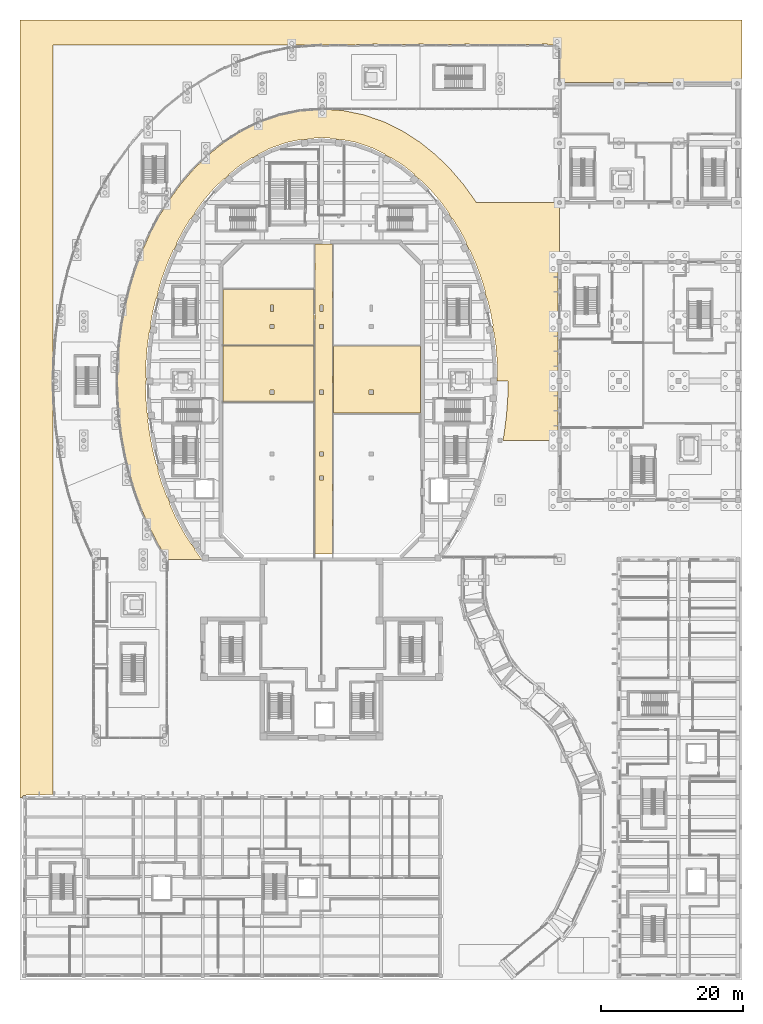
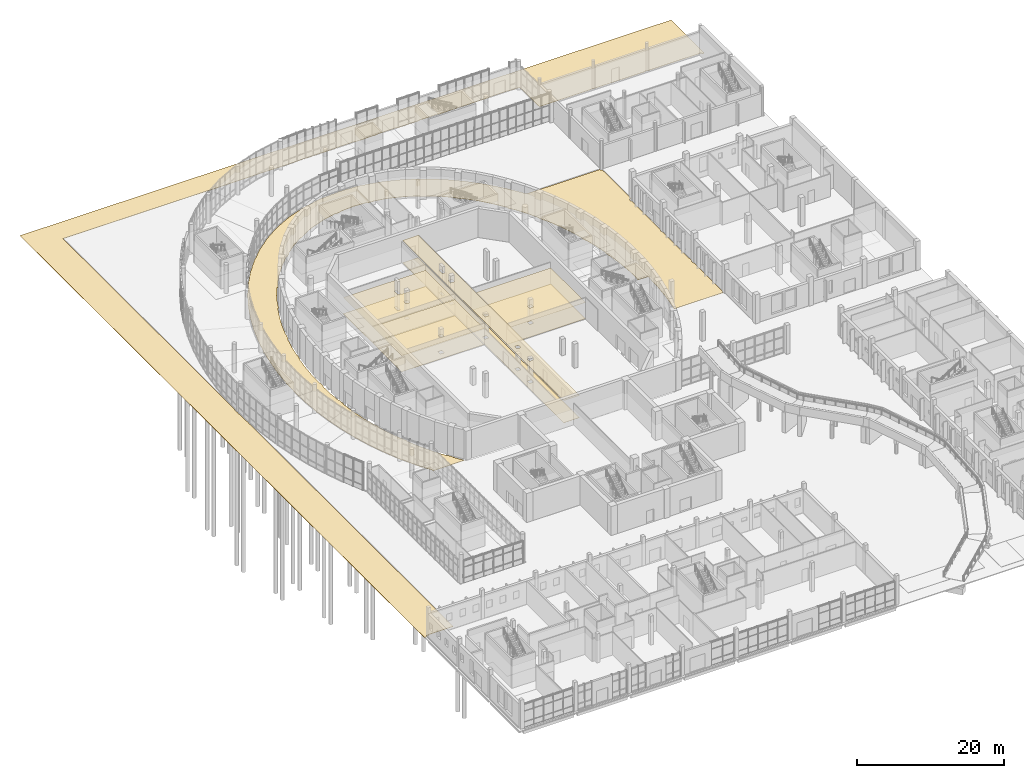
# One storey, part 96 of 110: 10 coverings.
"""IFC4 building model written with IfcOpenShell, lengths in metres."""

from ifc_helpers import new_model, si_unit, direction, frame, origin, place, context, subcontext, project, spatial, polyline, outline, extrude, material, layer, layer_set, type_object, element, save


model = new_model("IFC4")

# Units and contexts
model_context = context("Model", 3, precision=1e-05, world=origin(), true_north=direction((0.0, 1.0)))
body_context = subcontext(model_context, "Body", "Model", "MODEL_VIEW")
ifc_project = project(units=[si_unit("LENGTHUNIT", "METRE"), si_unit("AREAUNIT", "SQUARE_METRE"), si_unit("VOLUMEUNIT", "CUBIC_METRE"), si_unit("PLANEANGLEUNIT", "RADIAN"), si_unit("MASSUNIT", "GRAM", prefix="KILO")], contexts=[model_context])

# Site, building, storey
site_placement = place(None, origin())
site = spatial("IfcSite", under=ifc_project, at=site_placement, CompositionType="ELEMENT")
building_placement = place(site_placement, origin())
building = spatial("IfcBuilding", under=site, at=building_placement, Name="Larchfold Concert Hall", CompositionType="ELEMENT")
storey_placement = place(building_placement, origin())
storey = spatial("IfcBuildingStorey", under=building, at=storey_placement, Name="L00", CompositionType="ELEMENT", Elevation=0.0)

# Coverings
ifc_material_1 = material(Name="Mineral fibre ceiling tile")
ifc_layer_1 = layer(ifc_material_1, 0.02001953125)
ifc_layer_set_1 = layer_set([ifc_layer_1], Name="Mineral fibre ceiling tile")
covering_type_1 = type_object("IfcCoveringType", Name="Ceiling mineral fibre tile 20", PredefinedType="CEILING", material=ifc_layer_set_1)
covering_1_placement = place(storey_placement, frame((0.0, 0.0, 3.68017578125)))
element("IfcCovering", 1, at=covering_1_placement, inside=storey, type_object=covering_type_1, Name="Ceiling Undercroft Spine", PredefinedType="CEILING", context=body_context, shape_type="SweptSolid", body=[
    extrude(outline(polyline([(41.66259765625, 60.199951171875), (44.125, 60.199951171875), (44.125, 103.949951171875), (41.675048828125, 103.949951171875), (41.675048828125, 97.6201171875), (41.66259765625, 97.6201171875), (41.66259765625, 60.199951171875)]), holes=[polyline([(42.300048828125, 70.599853515625), (42.300048828125, 71.199951171875), (42.900146484375, 71.199951171875), (42.900146484375, 70.599853515625), (42.300048828125, 70.599853515625)]), polyline([(42.300048828125, 82.699951171875), (42.300048828125, 83.300048828125), (42.900146484375, 83.300048828125), (42.900146484375, 82.699951171875), (42.300048828125, 82.699951171875)]), polyline([(42.900146484375, 74.0), (42.300048828125, 74.0), (42.300048828125, 74.60009765625), (42.900146484375, 74.60009765625), (42.900146484375, 74.0)]), polyline([(42.900146484375, 92.0), (42.300048828125, 92.0), (42.300048828125, 92.60009765625), (42.900146484375, 92.60009765625), (42.900146484375, 92.0)]), polyline([(42.400146484375, 94.449951171875), (42.400146484375, 95.349853515625), (42.800048828125, 95.349853515625), (42.800048828125, 94.449951171875), (42.400146484375, 94.449951171875)])]), origin(), (0.0, 0.0, 1.0), 0.02001953125),
])
covering_2_placement = place(storey_placement, frame((0.0, 0.0, 2.68017578125)))
element("IfcCovering", 2, at=covering_2_placement, inside=storey, type_object=covering_type_1, Name="Ceiling Hall Store 01", PredefinedType="CEILING", context=body_context, shape_type="SweptSolid", body=[
    extrude(outline(polyline([(56.550048828125, 89.525146484375), (44.27490234375, 89.525146484375), (44.27490234375, 80.074951171875), (56.550048828125, 80.074951171875), (56.550048828125, 89.525146484375)]), holes=[polyline([(49.900146484375, 82.699951171875), (49.300048828125, 82.699951171875), (49.300048828125, 83.300048828125), (49.900146484375, 83.300048828125), (49.900146484375, 82.699951171875)])]), origin(), (0.0, 0.0, 1.0), 0.02001953125),
])
covering_3_placement = place(storey_placement, frame((0.0, 0.0, 2.68017578125)))
element("IfcCovering", 3, at=covering_3_placement, inside=storey, type_object=covering_type_1, Name="Ceiling Public Toilets", PredefinedType="CEILING", context=body_context, shape_type="SweptSolid", body=[
    extrude(outline(polyline([(28.650146484375, 97.525146484375), (28.650146484375, 89.650146484375), (41.534912109375, 89.650146484375), (41.53759765625, 89.60009765625), (41.53759765625, 97.60009765625), (41.52490234375, 97.60009765625), (41.52490234375, 97.525146484375), (28.650146484375, 97.525146484375)]), holes=[polyline([(35.900146484375, 92.0), (35.300048828125, 92.0), (35.300048828125, 92.60009765625), (35.900146484375, 92.60009765625), (35.900146484375, 92.0)]), polyline([(35.400146484375, 94.449951171875), (35.400146484375, 95.349853515625), (35.800048828125, 95.349853515625), (35.800048828125, 94.449951171875), (35.400146484375, 94.449951171875)])]), origin(), (0.0, 0.0, 1.0), 0.02001953125),
])
ifc_material_2 = material(Name="Plasterboard ceiling lining")
ifc_layer_2 = layer(ifc_material_2, 0.030029296875)
ifc_layer_set_2 = layer_set([ifc_layer_2], Name="Plasterboard ceiling lining")
covering_type_2 = type_object("IfcCoveringType", Name="Ceiling suspended plasterboard 30", PredefinedType="CEILING", material=ifc_layer_set_2)
covering_4_placement = place(storey_placement, frame((0.0, 0.0, 2.670166015625)))
element("IfcCovering", 4, at=covering_4_placement, inside=storey, type_object=covering_type_2, Name="Ceiling Box Office", PredefinedType="CEILING", context=body_context, shape_type="SweptSolid", body=[
    extrude(outline(polyline([(28.650146484375, 89.550048828125), (28.650146484375, 81.653076171875), (41.534912109375, 81.650146484375), (41.53759765625, 81.60009765625), (41.53759765625, 89.60009765625), (41.534912109375, 89.550048828125), (28.650146484375, 89.550048828125)]), holes=[polyline([(35.300048828125, 83.300048828125), (35.900146484375, 83.300048828125), (35.900146484375, 82.699951171875), (35.300048828125, 82.699951171875), (35.300048828125, 83.300048828125)])]), origin(), (0.0, 0.0, 1.0), 0.030029296875),
])
ifc_material_3 = material(Name="Ceramic tile")
ifc_layer_3 = layer(ifc_material_3, 0.030029296875)
ifc_layer_set_3 = layer_set([ifc_layer_3], Name="Ceramic tile")
covering_type_3 = type_object("IfcCoveringType", Name="Floor finish ceramic tile 30", PredefinedType="FLOORING", material=ifc_layer_set_3)
covering_5_placement = place(storey_placement, origin())
element("IfcCovering", 5, at=covering_5_placement, inside=storey, type_object=covering_type_3, Name="Floor finish Public Toilets", PredefinedType="FLOORING", context=body_context, shape_type="SweptSolid", body=[
    extrude(outline(polyline([(28.650146484375, 97.525146484375), (28.650146484375, 89.650146484375), (41.534912109375, 89.650146484375), (41.53759765625, 89.60009765625), (41.53759765625, 97.60009765625), (41.52490234375, 97.60009765625), (41.52490234375, 97.525146484375), (28.650146484375, 97.525146484375)]), holes=[polyline([(35.900146484375, 92.0), (35.300048828125, 92.0), (35.300048828125, 92.60009765625), (35.900146484375, 92.60009765625), (35.900146484375, 92.0)]), polyline([(35.400146484375, 94.449951171875), (35.400146484375, 95.349853515625), (35.800048828125, 95.349853515625), (35.800048828125, 94.449951171875), (35.400146484375, 94.449951171875)])]), origin(), (0.0, 0.0, 1.0), 0.030029296875),
])
ifc_material_4 = material(Name="Linoleum sheet")
ifc_layer_4 = layer(ifc_material_4, 0.02001953125)
ifc_layer_set_4 = layer_set([ifc_layer_4], Name="Linoleum sheet")
covering_type_4 = type_object("IfcCoveringType", Name="Floor finish vinyl 20", PredefinedType="FLOORING", material=ifc_layer_set_4)
covering_6_placement = place(storey_placement, origin())
element("IfcCovering", 6, at=covering_6_placement, inside=storey, type_object=covering_type_4, Name="Floor finish Undercroft Spine", PredefinedType="FLOORING", context=body_context, shape_type="SweptSolid", body=[
    extrude(outline(polyline([(41.66259765625, 60.199951171875), (44.125, 60.199951171875), (44.125, 103.949951171875), (41.675048828125, 103.949951171875), (41.675048828125, 97.6201171875), (41.66259765625, 97.6201171875), (41.66259765625, 60.199951171875)]), holes=[polyline([(42.300048828125, 70.599853515625), (42.300048828125, 71.199951171875), (42.900146484375, 71.199951171875), (42.900146484375, 70.599853515625), (42.300048828125, 70.599853515625)]), polyline([(42.300048828125, 82.699951171875), (42.300048828125, 83.300048828125), (42.900146484375, 83.300048828125), (42.900146484375, 82.699951171875), (42.300048828125, 82.699951171875)]), polyline([(42.900146484375, 74.0), (42.300048828125, 74.0), (42.300048828125, 74.60009765625), (42.900146484375, 74.60009765625), (42.900146484375, 74.0)]), polyline([(42.900146484375, 92.0), (42.300048828125, 92.0), (42.300048828125, 92.60009765625), (42.900146484375, 92.60009765625), (42.900146484375, 92.0)]), polyline([(42.400146484375, 94.449951171875), (42.400146484375, 95.349853515625), (42.800048828125, 95.349853515625), (42.800048828125, 94.449951171875), (42.400146484375, 94.449951171875)])]), origin(), (0.0, 0.0, 1.0), 0.02001953125),
])
covering_7_placement = place(storey_placement, origin())
element("IfcCovering", 7, at=covering_7_placement, inside=storey, type_object=covering_type_4, Name="Floor finish Hall Store 01", PredefinedType="FLOORING", context=body_context, shape_type="SweptSolid", body=[
    extrude(outline(polyline([(56.550048828125, 89.525146484375), (44.27490234375, 89.525146484375), (44.27490234375, 80.074951171875), (56.550048828125, 80.074951171875), (56.550048828125, 89.525146484375)]), holes=[polyline([(49.900146484375, 82.699951171875), (49.300048828125, 82.699951171875), (49.300048828125, 83.300048828125), (49.900146484375, 83.300048828125), (49.900146484375, 82.699951171875)])]), origin(), (0.0, 0.0, 1.0), 0.02001953125),
])
covering_8_placement = place(storey_placement, origin())
element("IfcCovering", 8, at=covering_8_placement, inside=storey, type_object=covering_type_4, Name="Floor finish Box Office", PredefinedType="FLOORING", context=body_context, shape_type="SweptSolid", body=[
    extrude(outline(polyline([(28.650146484375, 89.550048828125), (28.650146484375, 81.653076171875), (41.534912109375, 81.650146484375), (41.53759765625, 81.60009765625), (41.53759765625, 89.60009765625), (41.534912109375, 89.550048828125), (28.650146484375, 89.550048828125)]), holes=[polyline([(35.300048828125, 83.300048828125), (35.900146484375, 83.300048828125), (35.900146484375, 82.699951171875), (35.300048828125, 82.699951171875), (35.300048828125, 83.300048828125)])]), origin(), (0.0, 0.0, 1.0), 0.02001953125),
])
ifc_material_5 = material(Name="Planting bed", Category="finish")
ifc_layer_5 = layer(ifc_material_5, 0.050048828125)
ifc_layer_set_5 = layer_set([ifc_layer_5], Name="Planting bed")
covering_type_5 = type_object("IfcCoveringType", Name="Planting bed 50", PredefinedType="FLOORING", material=ifc_layer_set_5)
covering_9_placement = place(storey_placement, frame((0.0, 0.0, -0.150146484375)))
element("IfcCovering", 9, at=covering_9_placement, inside=storey, type_object=covering_type_5, Name="Planting bed SB0001", PredefinedType="FLOORING", context=body_context, shape_type="SweptSolid", body=[
    extrude(outline(polyline([(0.0, 135.590087890625), (0.0, 25.81005859375), (0.321044921875, 25.800048828125), (0.3349609375, 25.8505859375), (0.349853515625, 25.9013671875), (0.37451171875, 25.9482421875), (0.40771484375, 25.989501953125), (0.448486328125, 26.023193359375), (0.494873046875, 26.048583984375), (0.54541015625, 26.064453125), (0.597900390625, 26.06982421875), (0.650634765625, 26.065185546875), (0.701416015625, 26.05029296875), (0.748291015625, 26.025634765625), (0.78955078125, 25.992431640625), (0.830078125, 26.14990234375), (4.685546875, 26.170166015625), (4.695556640625, 81.396728515625), (4.683837890625, 81.4462890625), (4.6806640625, 81.502197265625), (4.6943359375, 81.55322265625), (4.695556640625, 81.891845703125), (4.669921875, 82.88427734375), (4.6455078125, 82.93310546875), (4.649658203125, 82.988037109375), (4.632568359375, 84.33349609375), (4.608154296875, 84.38232421875), (4.6123046875, 84.437255859375), (4.646240234375, 84.480712890625), (4.675537109375, 84.599609375), (4.677978515625, 84.697509765625), (4.635009765625, 84.728759765625), (4.608154296875, 84.77685546875), (4.6123046875, 84.831787109375), (4.66650390625, 86.180908203125), (4.6455078125, 86.226318359375), (4.649658203125, 86.281005859375), (4.695556640625, 87.30810546875), (4.695556640625, 87.642333984375), (4.6806640625, 87.69384765625), (4.683837890625, 87.753662109375), (4.695556640625, 87.802490234375), (4.695556640625, 132.03173828125), (41.22705078125, 132.031982421875), (41.58251953125, 132.031982421875), (42.49755859375, 132.094970703125), (42.549560546875, 132.12255859375), (42.6044921875, 132.118408203125), (42.6484375, 132.09326171875), (42.69384765625, 132.07080078125), (43.736328125, 132.070068359375), (43.783203125, 132.0927734375), (43.838134765625, 132.08837890625), (44.940185546875, 132.070068359375), (44.987060546875, 132.0927734375), (45.0419921875, 132.08837890625), (46.143798828125, 132.070068359375), (46.190673828125, 132.0927734375), (46.24560546875, 132.08837890625), (47.317626953125, 132.070068359375), (47.364501953125, 132.0927734375), (47.41943359375, 132.08837890625), (47.462158203125, 132.05517578125), (47.47998046875, 132.14990234375), (50.499755859375, 132.169921875), (50.52001953125, 132.0615234375), (50.57666015625, 132.0869140625), (50.63134765625, 132.093505859375), (50.6767578125, 132.07177734375), (52.1826171875, 132.070068359375), (52.2294921875, 132.0927734375), (52.284423828125, 132.08837890625), (53.817626953125, 132.070068359375), (53.864501953125, 132.0927734375), (53.91943359375, 132.08837890625), (53.962158203125, 132.05517578125), (53.97998046875, 132.14990234375), (56.999755859375, 132.169921875), (57.02001953125, 132.0615234375), (57.07666015625, 132.0869140625), (57.13134765625, 132.093505859375), (57.1767578125, 132.07177734375), (58.6826171875, 132.070068359375), (58.7294921875, 132.0927734375), (58.784423828125, 132.08837890625), (60.317626953125, 132.070068359375), (60.364501953125, 132.0927734375), (60.41943359375, 132.08837890625), (60.462158203125, 132.05517578125), (60.47998046875, 132.14990234375), (63.499755859375, 132.169921875), (63.52001953125, 132.0615234375), (63.57666015625, 132.0869140625), (63.63134765625, 132.093505859375), (63.6767578125, 132.07177734375), (64.822509765625, 132.070068359375), (64.869384765625, 132.0927734375), (64.92431640625, 132.08837890625), (66.12744140625, 132.070068359375), (66.17431640625, 132.0927734375), (66.2294921875, 132.08837890625), (67.4326171875, 132.070068359375), (67.4794921875, 132.0927734375), (67.534423828125, 132.08837890625), (68.737548828125, 132.070068359375), (68.784423828125, 132.0927734375), (68.83935546875, 132.08837890625), (70.04248046875, 132.070068359375), (70.08935546875, 132.0927734375), (70.14453125, 132.08837890625), (71.317626953125, 132.070068359375), (71.364501953125, 132.0927734375), (71.41943359375, 132.08837890625), (71.462158203125, 132.05517578125), (71.47998046875, 132.14990234375), (74.499755859375, 132.169921875), (74.52001953125, 132.0615234375), (74.57666015625, 132.0869140625), (74.63134765625, 132.093505859375), (74.6767578125, 132.07177734375), (75.59521484375, 132.070068359375), (75.64208984375, 132.0927734375), (75.697021484375, 132.08837890625), (75.740478515625, 132.054443359375), (76.19970703125, 132.031982421875), (76.219970703125, 131.562255859375), (76.265625, 131.530517578125), (76.292724609375, 131.482421875), (76.288330078125, 131.427490234375), (76.27001953125, 130.040771484375), (76.292724609375, 129.993896484375), (76.288330078125, 129.93896484375), (76.27001953125, 128.522216796875), (76.292724609375, 128.475341796875), (76.288330078125, 128.420166015625), (76.27001953125, 127.033447265625), (76.292724609375, 126.986572265625), (76.288330078125, 126.931640625), (76.25439453125, 126.88818359375), (76.30126953125, 126.850341796875), (76.34814453125, 126.82568359375), (76.389404296875, 126.79248046875), (76.439697265625, 126.79150390625), (84.348876953125, 126.795166015625), (84.40771484375, 126.78955078125), (84.448486328125, 126.8232421875), (84.494873046875, 126.8486328125), (84.54541015625, 126.864501953125), (84.597900390625, 126.869873046875), (84.650634765625, 126.865234375), (84.701416015625, 126.850341796875), (84.748291015625, 126.82568359375), (84.78955078125, 126.79248046875), (84.83984375, 126.79150390625), (92.748779296875, 126.795166015625), (92.8076171875, 126.78955078125), (92.848388671875, 126.8232421875), (92.894775390625, 126.8486328125), (92.9453125, 126.864501953125), (92.997802734375, 126.869873046875), (93.050537109375, 126.865234375), (93.101318359375, 126.850341796875), (93.148193359375, 126.82568359375), (93.189453125, 126.79248046875), (93.23974609375, 126.79150390625), (101.148681640625, 126.795166015625), (101.20751953125, 126.78955078125), (101.248291015625, 126.8232421875), (101.294677734375, 126.8486328125), (101.34521484375, 126.864501953125), (101.397705078125, 126.869873046875), (101.450439453125, 126.865234375), (101.501220703125, 126.850341796875), (101.548095703125, 126.82568359375), (101.58935546875, 126.79248046875), (101.623046875, 126.751708984375), (101.6484375, 126.705322265625), (101.664306640625, 126.65478515625), (101.670654296875, 126.6044921875), (101.989990234375, 126.60009765625), (102.0, 135.590087890625), (0.0, 135.590087890625)])), origin(), (0.0, 0.0, 1.0), 0.050048828125),
])
covering_10_placement = place(storey_placement, frame((0.0, 0.0, -0.150146484375)))
element("IfcCovering", 10, at=covering_10_placement, inside=storey, type_object=covering_type_5, Name="Planting bed SB0002", PredefinedType="FLOORING", context=body_context, shape_type="SweptSolid", body=[
    extrude(outline(polyline([(13.7939453125, 87.345703125), (13.787353515625, 87.260009765625), (13.785400390625, 87.18994140625), (13.82861328125, 87.15869140625), (13.85546875, 87.110595703125), (13.851318359375, 87.0556640625), (13.802978515625, 85.92578125), (13.823974609375, 85.88037109375), (13.819580078125, 85.82568359375), (13.771240234375, 84.69580078125), (13.792236328125, 84.650390625), (13.789794921875, 84.60009765625), (13.792236328125, 84.5498046875), (13.771240234375, 84.50439453125), (13.80126953125, 83.339111328125), (13.82568359375, 83.290283203125), (13.821533203125, 83.2353515625), (13.834716796875, 82.038818359375), (13.859130859375, 81.989990234375), (13.8623046875, 81.93017578125), (13.858154296875, 81.875244140625), (13.9287109375, 80.7666015625), (13.95703125, 80.7138671875), (13.95263671875, 80.658935546875), (14.0234375, 79.55029296875), (14.051513671875, 79.497802734375), (14.04736328125, 79.44287109375), (14.013427734375, 79.3994140625), (13.99365234375, 79.28662109375), (14.003173828125, 79.214111328125), (14.048828125, 79.19091796875), (14.083251953125, 79.150146484375), (14.08984375, 79.095458984375), (14.216552734375, 77.967041015625), (14.244384765625, 77.92529296875), (14.24951171875, 77.87451171875), (14.376220703125, 76.74609375), (14.404052734375, 76.704345703125), (14.40966796875, 76.654052734375), (14.41845703125, 76.59423828125), (14.619873046875, 75.40576171875), (14.650146484375, 75.364990234375), (14.65673828125, 75.310302734375), (14.85791015625, 74.121826171875), (14.88818359375, 74.080810546875), (14.896484375, 74.030517578125), (14.908935546875, 73.98193359375), (15.156494140625, 72.870361328125), (15.191162109375, 72.826171875), (15.19775390625, 72.771484375), (15.44677734375, 71.67431640625), (15.481689453125, 71.630126953125), (15.48828125, 71.575439453125), (15.46337890625, 71.5263671875), (15.458251953125, 71.415283203125), (15.47802734375, 71.349853515625), (15.526123046875, 71.334716796875), (15.56591796875, 71.302001953125), (15.5830078125, 71.249755859375), (15.897216796875, 70.141845703125), (15.936767578125, 70.094970703125), (15.943359375, 70.040283203125), (16.2587890625, 68.950927734375), (16.29833984375, 68.90380859375), (16.3173828125, 68.846923828125), (16.323974609375, 68.792236328125), (16.73046875, 67.657958984375), (16.76708984375, 67.623291015625), (16.783203125, 67.572509765625), (17.188232421875, 66.419677734375), (17.224609375, 66.385009765625), (17.2412109375, 66.337158203125), (17.26318359375, 66.278564453125), (17.708740234375, 65.22607421875), (17.749755859375, 65.1904296875), (17.76708984375, 65.13818359375), (18.212646484375, 64.08544921875), (18.253662109375, 64.0498046875), (18.270751953125, 63.99755859375), (18.255859375, 63.944580078125), (18.270751953125, 63.830078125), (18.302978515625, 63.7685546875), (18.3662109375, 63.758544921875), (18.409423828125, 63.724609375), (18.4267578125, 63.67236328125), (18.94873046875, 62.640869140625), (18.995849609375, 62.6025390625), (19.01318359375, 62.55029296875), (19.53515625, 61.5185546875), (19.58251953125, 61.48046875), (19.612060546875, 61.42822265625), (19.629150390625, 61.3759765625), (20.090087890625, 60.60400390625), (20.1328125, 60.5771484375), (20.15869140625, 60.530517578125), (20.621826171875, 59.739990234375), (20.66455078125, 59.713134765625), (20.690185546875, 59.66650390625), (20.68603515625, 59.611572265625), (20.765869140625, 59.410400390625), (25.6748046875, 59.39990234375), (24.674072265625, 60.79345703125), (24.73486328125, 60.86279296875), (24.48876953125, 61.2158203125), (24.25537109375, 61.590087890625), (24.182373046875, 61.556396484375), (23.10009765625, 63.260009765625), (21.94482421875, 65.448974609375), (21.12109375, 67.296875), (21.195068359375, 67.351806640625), (21.029296875, 67.7490234375), (20.876220703125, 68.158447265625), (20.798095703125, 68.139892578125), (20.074951171875, 70.024658203125), (19.483154296875, 71.95703125), (19.5634765625, 72.002685546875), (19.447265625, 72.416748046875), (19.34326171875, 72.83984375), (19.26318359375, 72.83056640625), (18.764404296875, 74.78662109375), (18.310546875, 77.2138671875), (18.046630859375, 79.215576171875), (18.13330078125, 79.247314453125), (18.087158203125, 79.6748046875), (18.052734375, 80.10791015625), (17.972412109375, 80.111572265625), (17.794677734375, 82.12255859375), (17.741943359375, 84.140380859375), (17.831298828125, 84.162841796875), (17.830078125, 84.593017578125), (17.841064453125, 85.027099609375), (17.761474609375, 85.0390625), (17.79296875, 87.042236328125), (17.982666015625, 89.488037109375), (18.241943359375, 91.474609375), (18.333740234375, 91.48291015625), (18.3994140625, 91.907958984375), (18.478271484375, 92.33544921875), (18.401611328125, 92.35986328125), (18.747314453125, 94.333251953125), (19.219482421875, 96.281005859375), (19.311767578125, 96.279296875), (19.4228515625, 96.69482421875), (19.549072265625, 97.11181640625), (19.4755859375, 97.14453125), (20.03857421875, 99.0673828125), (20.888916015625, 101.37109375), (21.69921875, 103.206787109375), (21.78955078125, 103.18896484375), (21.965087890625, 103.5615234375), (22.1748046875, 103.966796875), (22.108642578125, 104.0126953125), (23.018798828125, 105.79736328125), (24.07080078125, 107.509033203125), (24.157958984375, 107.47900390625), (24.39208984375, 107.840087890625), (24.650146484375, 108.197509765625), (24.591064453125, 108.25244140625), (25.75, 109.886474609375), (27.3515625, 111.758056640625), (28.791748046875, 113.16845703125), (28.869140625, 113.1181640625), (29.171875, 113.400390625), (29.531005859375, 113.693115234375), (29.48876953125, 113.761474609375), (31.03564453125, 115.032470703125), (32.7333984375, 116.129638671875), (32.79931640625, 116.064697265625), (33.147705078125, 116.277587890625), (33.191650390625, 116.3037109375), (33.571044921875, 116.490966796875), (33.544677734375, 116.567138671875), (35.33056640625, 117.470458984375), (37.669921875, 118.288330078125), (39.65673828125, 118.70361328125), (39.694580078125, 118.619384765625), (40.101806640625, 118.693603515625), (40.1513671875, 118.70166015625), (40.574951171875, 118.731201171875), (40.57958984375, 118.8115234375), (42.57421875, 118.96923828125), (42.625732421875, 118.96923828125), (44.60205078125, 118.8330078125), (44.615966796875, 118.741943359375), (45.045166015625, 118.7021484375), (45.097412109375, 118.69384765625), (45.49365234375, 118.61181640625), (45.519775390625, 118.68798828125), (47.48291015625, 118.30126953125), (49.826904296875, 117.48828125), (51.646484375, 116.593994140625), (51.624755859375, 116.50439453125), (52.006591796875, 116.304931640625), (52.051025390625, 116.278564453125), (52.38720703125, 116.061767578125), (52.43896484375, 116.12353515625), (54.13232421875, 115.055908203125), (55.70849609375, 113.789794921875), (55.667724609375, 113.70703125), (55.996826171875, 113.429443359375), (56.31689453125, 113.1181640625), (56.3798828125, 113.168212890625), (57.82568359375, 111.78271484375), (59.43115234375, 109.91064453125), (60.613525390625, 108.28076171875), (60.552490234375, 108.21142578125), (60.796630859375, 107.857177734375), (61.0283203125, 107.482177734375), (61.101806640625, 107.515625), (62.16845703125, 105.820556640625), (63.10009765625, 104.039794921875), (63.029541015625, 103.98046875), (63.219970703125, 103.594482421875), (63.3974609375, 103.19384765625), (63.474609375, 103.217041015625), (64.302490234375, 101.39306640625), (65.154541015625, 99.0888671875), (65.738037109375, 97.169677734375), (65.65771484375, 97.124267578125), (65.773193359375, 96.7099609375), (65.87646484375, 96.28662109375), (65.956298828125, 96.2958984375), (66.44873046875, 94.353759765625), (66.814697265625, 92.38330078125), (66.729736328125, 92.34716796875), (66.796142578125, 91.934814453125), (66.855224609375, 91.491455078125), (66.935546875, 91.491943359375), (67.215576171875, 89.508056640625), (67.40625, 87.062255859375), (67.458251953125, 85.0595703125), (67.368896484375, 85.037353515625), (67.369873046875, 84.60986328125), (68.949462890625, 84.60009765625), (68.8857421875, 82.097412109375), (68.881591796875, 82.013916015625), (68.689208984375, 79.559326171875), (68.680419921875, 79.475341796875), (68.359130859375, 77.0341796875), (68.345703125, 76.94921875), (68.2080078125, 76.211669921875), (75.82080078125, 76.199951171875), (75.836669921875, 76.27001953125), (75.857421875, 76.339599609375), (75.891357421875, 76.40380859375), (75.93701171875, 76.4599609375), (75.99267578125, 76.50634765625), (75.95654296875, 76.542236328125), (75.954833984375, 84.249755859375), (76.0009765625, 84.271240234375), (75.93994140625, 84.337158203125), (75.8935546875, 84.392822265625), (75.859130859375, 84.45654296875), (75.837646484375, 84.52587890625), (75.830078125, 84.597900390625), (75.836669921875, 84.670166015625), (75.857421875, 84.73974609375), (75.891357421875, 84.803955078125), (75.93701171875, 84.860107421875), (75.99267578125, 84.906494140625), (75.95654296875, 84.9423828125), (75.954833984375, 92.649658203125), (76.0009765625, 92.671142578125), (75.93994140625, 92.737060546875), (75.8935546875, 92.792724609375), (75.859130859375, 92.8564453125), (75.837646484375, 92.92578125), (75.830078125, 92.997802734375), (75.836669921875, 93.070068359375), (75.857421875, 93.1396484375), (75.891357421875, 93.203857421875), (75.93701171875, 93.260009765625), (75.99267578125, 93.306396484375), (75.95654296875, 93.34228515625), (75.954833984375, 101.049560546875), (76.0009765625, 101.071044921875), (75.93994140625, 101.136962890625), (75.8935546875, 101.192626953125), (75.859130859375, 101.25634765625), (75.837646484375, 101.32568359375), (75.830078125, 101.397705078125), (75.836669921875, 101.469970703125), (75.857421875, 101.53955078125), (75.891357421875, 101.603759765625), (75.93701171875, 101.659912109375), (75.99267578125, 101.706298828125), (76.056396484375, 101.74072265625), (76.125732421875, 101.76220703125), (76.19091796875, 101.76904296875), (76.199951171875, 109.52099609375), (76.1494140625, 109.534912109375), (76.0986328125, 109.5498046875), (76.0517578125, 109.574462890625), (76.010498046875, 109.607666015625), (75.976806640625, 109.6484375), (75.951416015625, 109.69482421875), (75.935546875, 109.745361328125), (75.92919921875, 109.795654296875), (64.451416015625, 109.800048828125), (64.23876953125, 110.1455078125), (62.60888671875, 112.395751953125), (60.782958984375, 114.527587890625), (58.752197265625, 116.51318359375), (56.510986328125, 118.317138671875), (54.06005859375, 119.897216796875), (51.4091796875, 121.20458984375), (48.584228515625, 122.188720703125), (45.628173828125, 122.8017578125), (43.769287109375, 122.929931640625), (42.93896484375, 122.929931640625), (42.89208984375, 122.9072265625), (42.837158203125, 122.91162109375), (42.793701171875, 122.945556640625), (42.600341796875, 122.97998046875), (42.553955078125, 122.93701171875), (42.506103515625, 122.909912109375), (42.451171875, 122.9140625), (41.11669921875, 122.838134765625), (41.064697265625, 122.810546875), (41.009765625, 122.81494140625), (39.67529296875, 122.739013671875), (39.623291015625, 122.71142578125), (39.56396484375, 122.703369140625), (39.509033203125, 122.70751953125), (38.175048828125, 122.440673828125), (38.133056640625, 122.40869140625), (38.078369140625, 122.402099609375), (36.726318359375, 122.14013671875), (36.684326171875, 122.108154296875), (36.626708984375, 122.09228515625), (36.57177734375, 122.085693359375), (35.3681640625, 121.679931640625), (35.33251953125, 121.643798828125), (35.283447265625, 121.62890625), (34.06103515625, 121.224609375), (34.025390625, 121.1884765625), (33.976318359375, 121.173583984375), (33.923095703125, 121.1884765625), (33.7998046875, 121.1865234375), (33.749755859375, 121.161865234375), (33.7392578125, 121.10107421875), (33.705322265625, 121.0576171875), (33.65283203125, 121.04052734375), (32.5009765625, 120.490234375), (32.463623046875, 120.4453125), (32.411376953125, 120.42822265625), (31.25927734375, 119.8779296875), (31.221923828125, 119.8330078125), (31.169921875, 119.803466796875), (31.117431640625, 119.786376953125), (30.009765625, 119.085205078125), (29.983642578125, 119.041748046875), (29.935791015625, 119.0146484375), (28.8095703125, 118.311279296875), (28.783447265625, 118.26806640625), (28.73486328125, 118.23291015625), (28.686767578125, 118.205810546875), (27.728271484375, 117.453857421875), (27.699951171875, 117.400146484375), (27.65185546875, 117.373046875), (26.693115234375, 116.620849609375), (26.6650390625, 116.567138671875), (26.616943359375, 116.5400390625), (26.56201171875, 116.54443359375), (26.4619140625, 116.498779296875), (26.420166015625, 116.4580078125), (26.429443359375, 116.404296875), (26.41455078125, 116.35107421875), (26.372802734375, 116.315185546875), (25.48388671875, 115.47265625), (25.466796875, 115.424560546875), (25.425048828125, 115.388671875), (24.5361328125, 114.5458984375), (24.51904296875, 114.497802734375), (24.48291015625, 114.463134765625), (24.44921875, 114.425048828125), (23.601806640625, 113.468017578125), (23.58447265625, 113.410888671875), (23.542724609375, 113.375), (22.70849609375, 112.4248046875), (22.691162109375, 112.36767578125), (22.654052734375, 112.32080078125), (22.6123046875, 112.284912109375), (21.91943359375, 111.348876953125), (21.9111328125, 111.299072265625), (21.877685546875, 111.257568359375), (21.168701171875, 110.312255859375), (21.160400390625, 110.2626953125), (21.126953125, 110.220947265625), (21.07470703125, 110.203857421875), (20.978515625, 110.135009765625), (20.94482421875, 110.080078125), (20.9677734375, 110.02587890625), (20.963623046875, 109.970703125), (20.9296875, 109.927490234375), (20.2998046875, 108.936767578125), (20.293212890625, 108.88134765625), (20.25927734375, 108.838134765625), (19.62939453125, 107.84716796875), (19.622802734375, 107.7919921875), (19.593017578125, 107.73974609375), (19.55908203125, 107.696533203125), (18.979248046875, 106.61767578125), (18.97412109375, 106.5556640625), (18.940185546875, 106.51220703125), (18.3603515625, 105.433349609375), (18.355224609375, 105.371337890625), (18.329345703125, 105.3173828125), (18.295166015625, 105.27392578125), (17.82861328125, 104.245361328125), (17.830810546875, 104.1953125), (17.805908203125, 104.146484375), (17.325439453125, 103.105712890625), (17.327392578125, 103.0556640625), (17.302734375, 103.0068359375), (17.254638671875, 102.979736328125), (17.1748046875, 102.888916015625), (17.150146484375, 102.822021484375), (17.183349609375, 102.77294921875), (17.18994140625, 102.71826171875), (17.1650390625, 102.669189453125), (16.752685546875, 101.602294921875), (16.757080078125, 101.546630859375), (16.732177734375, 101.49755859375), (16.31982421875, 100.4306640625), (16.323974609375, 100.375), (16.304931640625, 100.318115234375), (16.280029296875, 100.26904296875), (15.916259765625, 99.12158203125), (15.923095703125, 99.060546875), (15.898193359375, 99.01123046875), (15.534423828125, 97.86376953125), (15.541259765625, 97.802734375), (15.525390625, 97.744873046875), (15.50048828125, 97.69580078125), (15.2255859375, 96.615478515625), (15.23681640625, 96.566650390625), (15.2216796875, 96.515380859375), (14.935546875, 95.42041015625), (14.946533203125, 95.37158203125), (14.931640625, 95.320556640625), (14.889892578125, 95.28466796875), (14.826416015625, 95.18310546875), (14.813720703125, 95.11474609375), (14.853515625, 95.07421875), (14.87060546875, 95.02197265625), (14.85595703125, 94.96875), (14.631591796875, 93.8583984375), (14.645263671875, 93.806884765625), (14.63037109375, 93.753662109375), (14.40625, 92.64306640625), (14.419921875, 92.591552734375), (14.41064453125, 92.532470703125), (14.395751953125, 92.479248046875), (14.224853515625, 91.29638671875), (14.24169921875, 91.240234375), (14.226806640625, 91.18701171875), (14.055908203125, 90.004150390625), (14.07275390625, 89.94775390625), (14.06640625, 89.88818359375), (14.051513671875, 89.835205078125), (13.95166015625, 88.72900390625), (13.9716796875, 88.6689453125), (13.956787109375, 88.615966796875), (13.85693359375, 87.509765625), (13.876708984375, 87.44970703125), (13.86181640625, 87.396728515625), (13.7939453125, 87.345703125)])), origin(), (0.0, 0.0, 1.0), 0.050048828125),
])

save(model, "model.ifc")
